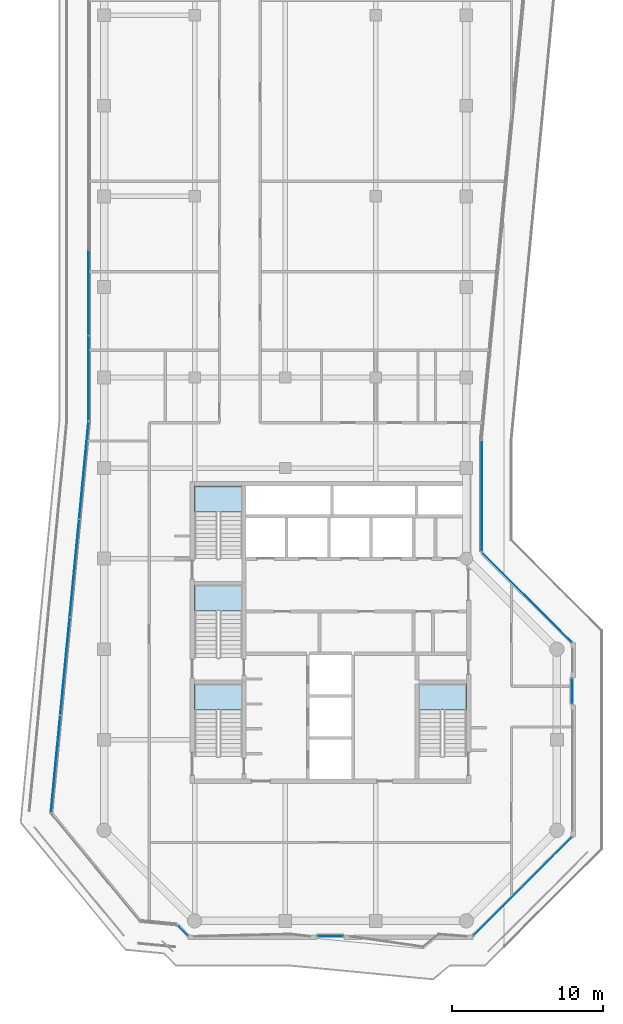
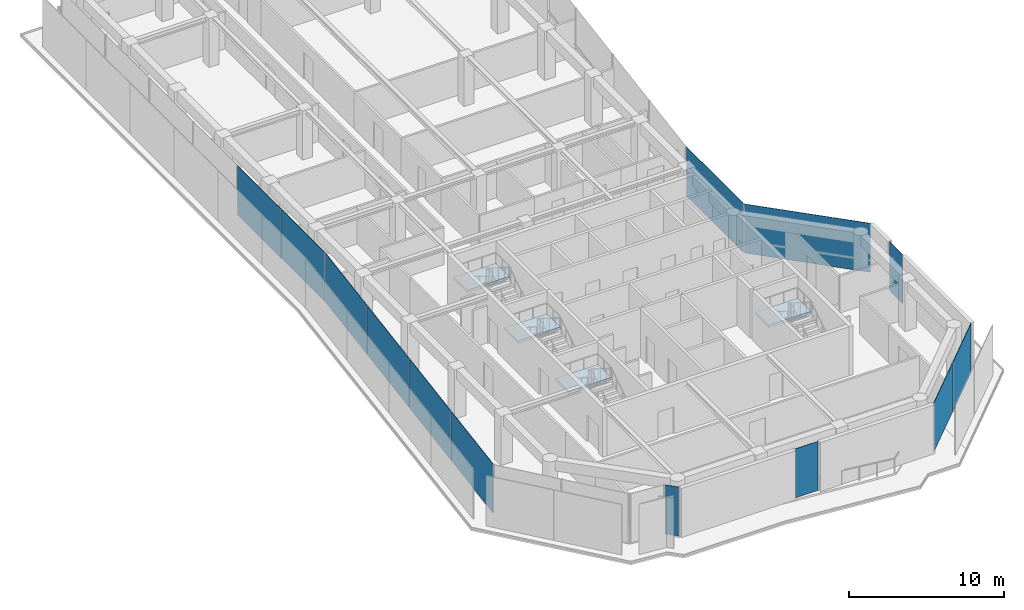
# One storey, part 18 of 25: 13 plates, 4 slabs, 12 elements without a shape of their own.
"""IFC4 building model written with IfcOpenShell, lengths in metres."""

from ifc_helpers import new_model, si_unit, direction, frame, origin, origin_2d, place, context, subcontext, project, spatial, polyline, rectangle, outline, extrude, material, layer, layer_set, type_object, element, aggregate, save


model = new_model("IFC4")

# Units and contexts
model_context = context("Model", 3, precision=1e-05, world=origin(), true_north=direction((0.0, 1.0)))
body_context = subcontext(model_context, "Body", "Model", "MODEL_VIEW")
ifc_project = project(units=[si_unit("LENGTHUNIT", "METRE"), si_unit("AREAUNIT", "SQUARE_METRE"), si_unit("VOLUMEUNIT", "CUBIC_METRE"), si_unit("PLANEANGLEUNIT", "RADIAN"), si_unit("MASSUNIT", "GRAM", prefix="KILO")], contexts=[model_context])

# Site, building, storey
site_placement = place(None, origin())
site = spatial("IfcSite", under=ifc_project, at=site_placement, CompositionType="ELEMENT")
building_placement = place(site_placement, origin())
building = spatial("IfcBuilding", under=site, at=building_placement, Name="Welwitschia Terrace Campus", CompositionType="ELEMENT")
storey_placement = place(building_placement, frame((0.0, 0.0, 264.199951171875)))
storey = spatial("IfcBuildingStorey", under=building, at=storey_placement, Name="L58", CompositionType="ELEMENT", Elevation=264.199951171875)

# Curtain wall, plates
ifc_material_1 = material(Name="Bronze anodised aluminium", Category="aluminium")
ifc_layer_1 = layer(ifc_material_1, 0.1201171875)
ifc_layer_set_1 = layer_set([ifc_layer_1], Name="Bronze anodised aluminium")
curtain_wall_type = type_object("IfcCurtainWallType", Name="Curtain wall CW2 tower 6000", PredefinedType="NOTDEFINED", material=ifc_layer_set_1)
curtain_wall_1_placement = place(storey_placement, origin())
curtain_wall_1 = element("IfcCurtainWall", 1, at=curtain_wall_1_placement, inside=storey, type_object=curtain_wall_type, Name="CW L58.0.0", PredefinedType="NOTDEFINED")
ifc_material_2 = material(Name="Tinted bronze-grey glass", Category="glass")
ifc_layer_2 = layer(ifc_material_2, 0.028076171875)
ifc_layer_set_2 = layer_set([ifc_layer_2], Name="Tinted bronze-grey glass")
plate_type = type_object("IfcPlateType", Name="Glass panel 28 tinted", PredefinedType="CURTAIN_PANEL", material=ifc_layer_set_2)
plate_1_placement = place(storey_placement, frame((-1.030029296875, 37.589111328125, 0.0), z_axis=(0.0, 0.0, 1.0), x_axis=(0.0, -1.0, 0.0)))
plate_1 = element("IfcPlate", 2, at=plate_1_placement, type_object=plate_type, Name="Panel L58.0.0.4", PredefinedType="CURTAIN_PANEL", context=body_context, shape_type="SweptSolid", body=[
    extrude(rectangle(XDim=5.593505859375, YDim=0.028076171875, at=origin_2d()), origin(), (0.0, 0.0, 1.0), 3.85009765625),
])
plate_2_placement = place(storey_placement, frame((-1.030029296875, 31.950439453125, 0.0), z_axis=(0.0, 0.0, 1.0), x_axis=(0.0, -1.0, 0.0)))
plate_2 = element("IfcPlate", 3, at=plate_2_placement, type_object=plate_type, Name="Panel L58.0.0.5", PredefinedType="CURTAIN_PANEL", context=body_context, shape_type="SweptSolid", body=[
    extrude(rectangle(XDim=5.5634765625, YDim=0.028076171875, at=origin_2d()), origin(), (0.0, 0.0, 1.0), 3.85009765625),
])
aggregate(curtain_wall_1, [plate_1, plate_2])

curtain_wall_2_placement = place(storey_placement, origin())
curtain_wall_2 = element("IfcCurtainWall", 4, at=curtain_wall_2_placement, inside=storey, type_object=curtain_wall_type, Name="CW L58.1.0", PredefinedType="NOTDEFINED")
plate_3_placement = place(storey_placement, frame((-1.343994140625, 25.84716796875, 0.0), z_axis=(0.0, 0.0, 1.0), x_axis=(-0.09584575252, -0.995396198367, 0.0)))
plate_3 = element("IfcPlate", 5, at=plate_3_placement, type_object=plate_type, Name="Panel L58.1.0.0", PredefinedType="CURTAIN_PANEL", context=body_context, shape_type="SweptSolid", body=[
    extrude(rectangle(XDim=6.43359375, YDim=0.028076171875, at=origin_2d()), origin(), (0.0, 0.0, 1.0), 3.85009765625),
])
plate_4_placement = place(storey_placement, frame((-1.9677734375, 19.368408203125, 0.0), z_axis=(0.0, 0.0, 1.0), x_axis=(-0.09584575252, -0.995396198367, 0.0)))
plate_4 = element("IfcPlate", 6, at=plate_4_placement, type_object=plate_type, Name="Panel L58.1.0.1", PredefinedType="CURTAIN_PANEL", context=body_context, shape_type="SweptSolid", body=[
    extrude(rectangle(XDim=6.463623046875, YDim=0.028076171875, at=origin_2d()), origin(), (0.0, 0.0, 1.0), 3.85009765625),
])
plate_5_placement = place(storey_placement, frame((-2.593017578125, 12.875, 0.0), z_axis=(0.0, 0.0, 1.0), x_axis=(-0.09584575252, -0.995396198367, 0.0)))
plate_5 = element("IfcPlate", 7, at=plate_5_placement, type_object=plate_type, Name="Panel L58.1.0.2", PredefinedType="CURTAIN_PANEL", context=body_context, shape_type="SweptSolid", body=[
    extrude(rectangle(XDim=6.463623046875, YDim=0.028076171875, at=origin_2d()), origin(), (0.0, 0.0, 1.0), 3.85009765625),
])
plate_6_placement = place(storey_placement, frame((-3.217041015625, 6.396484375, 0.0), z_axis=(0.0, 0.0, 1.0), x_axis=(-0.09584575252, -0.995396198367, 0.0)))
plate_6 = element("IfcPlate", 8, at=plate_6_placement, type_object=plate_type, Name="Panel L58.1.0.3", PredefinedType="CURTAIN_PANEL", context=body_context, shape_type="SweptSolid", body=[
    extrude(rectangle(XDim=6.43359375, YDim=0.028076171875, at=origin_2d()), origin(), (0.0, 0.0, 1.0), 3.85009765625),
])
aggregate(curtain_wall_2, [plate_3, plate_4, plate_5, plate_6])

# Curtain wall, plate
curtain_wall_3_placement = place(storey_placement, origin())
curtain_wall_3 = element("IfcCurtainWall", 9, at=curtain_wall_3_placement, inside=storey, type_object=curtain_wall_type, Name="CW L58.4.0", PredefinedType="NOTDEFINED")
plate_7_placement = place(storey_placement, frame((5.21142578125, -4.66796875, 0.0), z_axis=(0.0, 0.0, 1.0), x_axis=(0.707106781187, -0.707106781187, 0.0)))
plate_7 = element("IfcPlate", 10, at=plate_7_placement, type_object=plate_type, Name="Panel L58.4.0.0", PredefinedType="CURTAIN_PANEL", context=body_context, shape_type="SweptSolid", body=[
    extrude(rectangle(XDim=0.90380859375, YDim=0.028076171875, at=origin_2d()), origin(), (0.0, 0.0, 1.0), 3.85009765625),
])
aggregate(curtain_wall_3, [plate_7])

curtain_wall_4_placement = place(storey_placement, origin())
curtain_wall_4 = element("IfcCurtainWall", 11, at=curtain_wall_4_placement, inside=storey, type_object=curtain_wall_type, Name="CW L58.5.S0", PredefinedType="NOTDEFINED")
plate_8_placement = place(storey_placement, frame((15.0, -5.030029296875, 0.0), z_axis=(0.0, 0.0, 1.0), x_axis=(1.0, 0.0, 0.0)))
plate_8 = element("IfcPlate", 12, at=plate_8_placement, type_object=plate_type, Name="Panel L58.5.S0.0", PredefinedType="CURTAIN_PANEL", context=body_context, shape_type="SweptSolid", body=[
    extrude(rectangle(XDim=1.679931640625, YDim=0.028076171875, at=origin_2d()), origin(), (0.0, 0.0, 1.0), 3.85009765625),
])
aggregate(curtain_wall_4, [plate_8])

# Curtain wall, plates
curtain_wall_5_placement = place(storey_placement, origin())
curtain_wall_5 = element("IfcCurtainWall", 13, at=curtain_wall_5_placement, inside=storey, type_object=curtain_wall_type, Name="CW L58.6.0", PredefinedType="NOTDEFINED")
plate_9_placement = place(storey_placement, frame((26.088134765625, -3.36865234375, 0.0), z_axis=(0.0, 0.0, 1.0), x_axis=(0.707106781187, 0.707106781187, 0.0)))
plate_9 = element("IfcPlate", 14, at=plate_9_placement, type_object=plate_type, Name="Panel L58.6.0.0", PredefinedType="CURTAIN_PANEL", context=body_context, shape_type="SweptSolid", body=[
    extrude(rectangle(XDim=4.579345703125, YDim=0.028076171875, at=origin_2d()), origin(), (0.0, 0.0, 1.0), 3.85009765625),
])
plate_10_placement = place(storey_placement, frame((29.36865234375, -0.088134765625, 0.0), z_axis=(0.0, 0.0, 1.0), x_axis=(0.707106781187, 0.707106781187, 0.0)))
plate_10 = element("IfcPlate", 15, at=plate_10_placement, type_object=plate_type, Name="Panel L58.6.0.1", PredefinedType="CURTAIN_PANEL", context=body_context, shape_type="SweptSolid", body=[
    extrude(rectangle(XDim=4.579345703125, YDim=0.028076171875, at=origin_2d()), origin(), (0.0, 0.0, 1.0), 3.85009765625),
])
aggregate(curtain_wall_5, [plate_9, plate_10])

# Curtain wall, plate
curtain_wall_6_placement = place(storey_placement, origin())
curtain_wall_6 = element("IfcCurtainWall", 16, at=curtain_wall_6_placement, inside=storey, type_object=curtain_wall_type, Name="CW L58.7.S0", PredefinedType="NOTDEFINED")
plate_11_placement = place(storey_placement, frame((31.030029296875, 11.21337890625, 0.0), z_axis=(0.0, 0.0, 1.0), x_axis=(0.0, 1.0, 0.0)))
plate_11 = element("IfcPlate", 17, at=plate_11_placement, type_object=plate_type, Name="Panel L58.7.S0.0", PredefinedType="CURTAIN_PANEL", context=body_context, shape_type="SweptSolid", body=[
    extrude(rectangle(XDim=1.679931640625, YDim=0.028076171875, at=origin_2d()), origin(), (0.0, 0.0, 1.0), 3.85009765625),
])
aggregate(curtain_wall_6, [plate_11])

curtain_wall_7_placement = place(storey_placement, origin())
curtain_wall_7 = element("IfcCurtainWall", 18, at=curtain_wall_7_placement, inside=storey, type_object=curtain_wall_type, Name="CW L58.8.0", PredefinedType="NOTDEFINED")
plate_12_placement = place(storey_placement, frame((28.030029296875, 17.4267578125, 0.0), z_axis=(0.0, 0.0, 1.0), x_axis=(-0.707106781187, 0.707106781187, 0.0)))
plate_12 = element("IfcPlate", 19, at=plate_12_placement, type_object=plate_type, Name="Panel L58.8.0.0", PredefinedType="CURTAIN_PANEL", context=body_context, shape_type="SweptSolid", body=[
    extrude(rectangle(XDim=8.365234375, YDim=0.028076171875, at=origin_2d()), origin(), (0.0, 0.0, 1.0), 3.85009765625),
])
aggregate(curtain_wall_7, [plate_12])

curtain_wall_8_placement = place(storey_placement, origin())
curtain_wall_8 = element("IfcCurtainWall", 20, at=curtain_wall_8_placement, inside=storey, type_object=curtain_wall_type, Name="CW L58.9.0", PredefinedType="NOTDEFINED")
plate_13_placement = place(storey_placement, frame((25.030029296875, 24.141845703125, 0.0), z_axis=(0.0, 0.0, 1.0), x_axis=(0.0, 1.0, 0.0)))
plate_13 = element("IfcPlate", 21, at=plate_13_placement, type_object=plate_type, Name="Panel L58.9.0.0", PredefinedType="CURTAIN_PANEL", context=body_context, shape_type="SweptSolid", body=[
    extrude(rectangle(XDim=7.310302734375, YDim=0.028076171875, at=origin_2d()), origin(), (0.0, 0.0, 1.0), 3.85009765625),
])
aggregate(curtain_wall_8, [plate_13])

# Stair, slab
ifc_material_3 = material(Name="Concrete C40/50", Category="concrete")
stair_type = type_object("IfcStairType", Name="Stair 24R 175 W1500", PredefinedType="HALF_TURN_STAIR", material=ifc_material_3)
stair_1_placement = place(storey_placement, origin())
stair_1 = element("IfcStair", 22, at=stair_1_placement, inside=storey, type_object=stair_type, Name="L58 Exit stair S1", PredefinedType="HALF_TURN_STAIR")
ifc_material_4 = material(Name="Concrete C40/50", Category="concrete")
ifc_layer_3 = layer(ifc_material_4, 0.199951171875)
ifc_layer_set_3 = layer_set([ifc_layer_3], Name="Concrete C40/50")
slab_type = type_object("IfcSlabType", Name="Stair landing RC", PredefinedType="LANDING", material=ifc_layer_set_3)
slab_1_placement = place(storey_placement, frame((0.0, 0.0, 1.900146484375)))
slab_1 = element("IfcSlab", 23, at=slab_1_placement, type_object=slab_type, Name="S1 landing 1", PredefinedType="LANDING", context=body_context, shape_type="SweptSolid", body=[
    extrude(outline(polyline([(9.14990234375, 9.97998046875), (9.14990234375, 11.699951171875), (6.0, 11.699951171875), (6.0, 9.97998046875), (9.14990234375, 9.97998046875)])), origin(), (0.0, 0.0, 1.0), 0.199951171875),
])
aggregate(stair_1, [slab_1])

stair_2_placement = place(storey_placement, origin())
stair_2 = element("IfcStair", 24, at=stair_2_placement, inside=storey, type_object=stair_type, Name="L58 Exit stair S3", PredefinedType="HALF_TURN_STAIR")
slab_2_placement = place(storey_placement, frame((0.0, 0.0, 1.900146484375)))
slab_2 = element("IfcSlab", 25, at=slab_2_placement, type_object=slab_type, Name="S3 landing 1", PredefinedType="LANDING", context=body_context, shape_type="SweptSolid", body=[
    extrude(outline(polyline([(9.14990234375, 16.530029296875), (9.14990234375, 18.25), (6.0, 18.25), (6.0, 16.530029296875), (9.14990234375, 16.530029296875)])), origin(), (0.0, 0.0, 1.0), 0.199951171875),
])
aggregate(stair_2, [slab_2])

stair_3_placement = place(storey_placement, origin())
stair_3 = element("IfcStair", 26, at=stair_3_placement, inside=storey, type_object=stair_type, Name="L58 Exit stair S4", PredefinedType="HALF_TURN_STAIR")
slab_3_placement = place(storey_placement, frame((0.0, 0.0, 1.900146484375)))
slab_3 = element("IfcSlab", 27, at=slab_3_placement, type_object=slab_type, Name="S4 landing 1", PredefinedType="LANDING", context=body_context, shape_type="SweptSolid", body=[
    extrude(outline(polyline([(9.14990234375, 23.080078125), (9.14990234375, 24.800048828125), (6.0, 24.800048828125), (6.0, 23.080078125), (9.14990234375, 23.080078125)])), origin(), (0.0, 0.0, 1.0), 0.199951171875),
])
aggregate(stair_3, [slab_3])

stair_4_placement = place(storey_placement, origin())
stair_4 = element("IfcStair", 28, at=stair_4_placement, inside=storey, type_object=stair_type, Name="L58 Exit stair S2", PredefinedType="HALF_TURN_STAIR")
slab_4_placement = place(storey_placement, frame((0.0, 0.0, 1.900146484375)))
slab_4 = element("IfcSlab", 29, at=slab_4_placement, type_object=slab_type, Name="S2 landing 1", PredefinedType="LANDING", context=body_context, shape_type="SweptSolid", body=[
    extrude(outline(polyline([(24.0, 9.97998046875), (24.0, 11.699951171875), (20.85009765625, 11.699951171875), (20.85009765625, 9.97998046875), (24.0, 9.97998046875)])), origin(), (0.0, 0.0, 1.0), 0.199951171875),
])
aggregate(stair_4, [slab_4])

save(model, "model.ifc")
